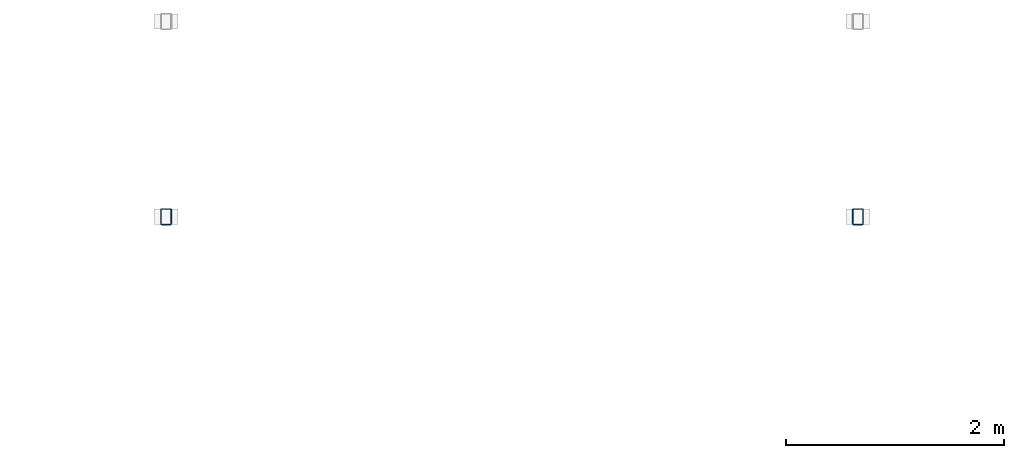
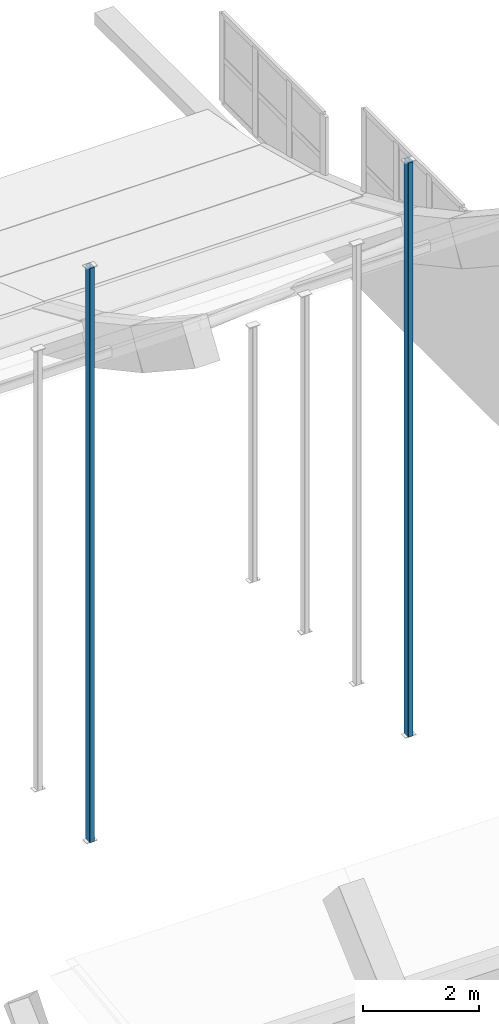
# One storey, part 28 of 77: 2 members.
"""IFC4 building model written with IfcOpenShell, lengths in metres."""

from ifc_helpers import new_model, si_unit, direction, frame, origin, origin_2d, place, context, subcontext, project, spatial, hollow_rectangle, extrude, material, material_profile, profile_set, type_object, element, save


model = new_model("IFC4")

# Units and contexts
model_context = context("Model", 3, precision=1e-05, world=origin(), true_north=direction((0.0, 1.0)))
body_context = subcontext(model_context, "Body", "Model", "MODEL_VIEW")
ifc_project = project(units=[si_unit("LENGTHUNIT", "METRE"), si_unit("AREAUNIT", "SQUARE_METRE"), si_unit("VOLUMEUNIT", "CUBIC_METRE"), si_unit("PLANEANGLEUNIT", "RADIAN"), si_unit("MASSUNIT", "GRAM", prefix="KILO")], contexts=[model_context])

# Site, building, storey
site_placement = place(None, origin())
site = spatial("IfcSite", under=ifc_project, at=site_placement, CompositionType="ELEMENT")
building_placement = place(site_placement, origin())
building = spatial("IfcBuilding", under=site, at=building_placement, Name="Trellovar Central Fire Station", CompositionType="ELEMENT")
storey_placement = place(building_placement, frame((0.0, 0.0, 5.85009765625)))
storey = spatial("IfcBuildingStorey", under=building, at=storey_placement, Name="L02", CompositionType="ELEMENT", Elevation=5.85009765625)

# Members
ifc_material = material(Name="Steel ASTM A500 Grade C", Category="steel")
ifc_material_profile = material_profile(ifc_material, hollow_rectangle(XDim=0.1015625, YDim=0.15234375, WallThickness=0.005859375, InnerFilletRadius=0.005859375, OuterFilletRadius=0.01171875, at=origin_2d()), Name="HSS6X4X1/4")
ifc_profile_set = profile_set([ifc_material_profile], Name="Steel ASTM A500 Grade C")
member_type = type_object("IfcMemberType", Name="MEM-ST2", PredefinedType="STRUT", material=ifc_profile_set)
for number, where, z_axis, x_axis, name in (
    (1, (85.800048828125, 24.47998046875, -0.2001953125), (0.0, 0.0, 1.0), (1.0, 0.0, 0.0), "V1 tied-arch web post 09 Y=24.5"),
    (2, (92.14990234375, 24.47998046875, -0.2001953125), (0.0, 0.0, 1.0), (1.0, 0.0, 0.0), "V1 tied-arch web post 10 Y=24.5"),
):
    element("IfcMember", number, at=place(storey_placement, frame(where, z_axis=z_axis, x_axis=x_axis)), inside=storey, type_object=member_type, Name=name, PredefinedType="STRUT", context=body_context, shape_type="SweptSolid", body=[
        extrude(hollow_rectangle(XDim=0.1015625, YDim=0.15234375, WallThickness=0.005859375, InnerFilletRadius=0.005859375, OuterFilletRadius=0.01171875, at=origin_2d()), origin(), (0.0, 0.0, 1.0), 12.10009765625),
    ])

save(model, "model.ifc")
